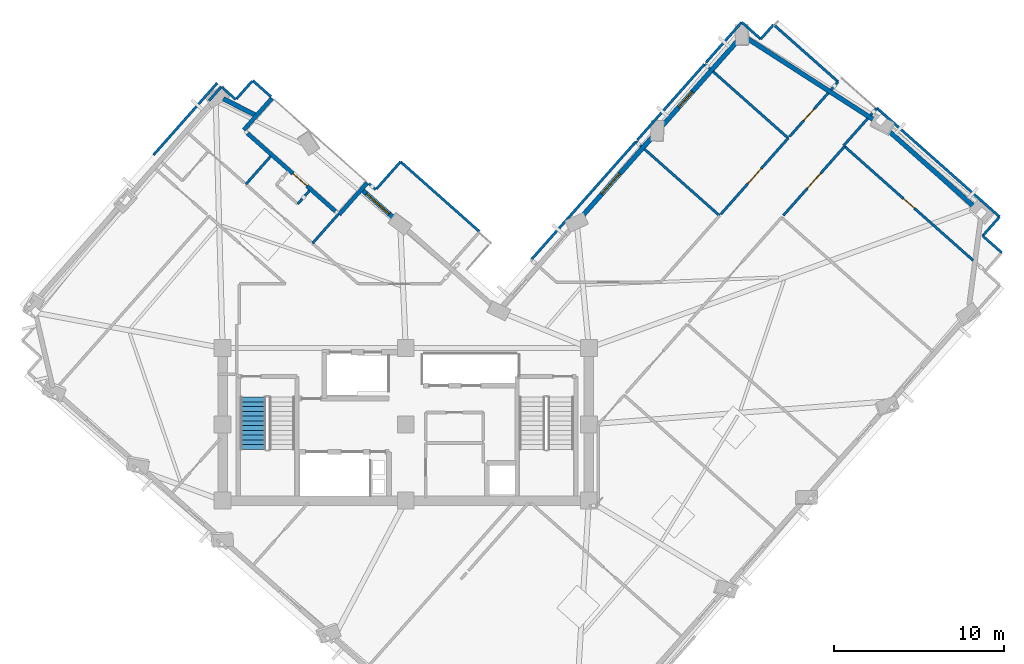
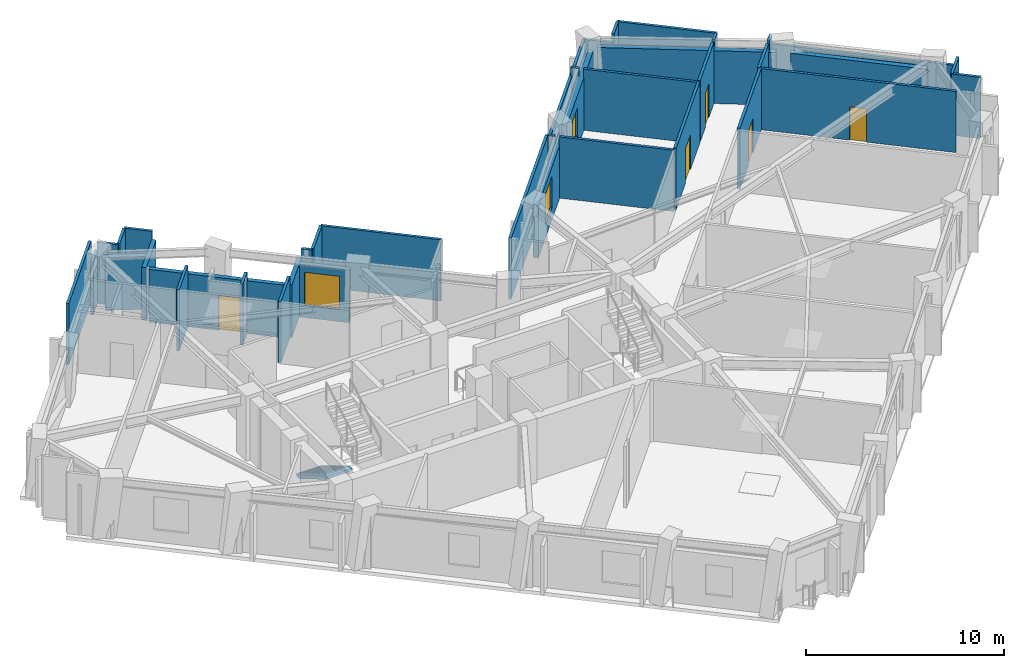
# One storey, part 8 of 13: 40 walls, 5 doors, 3 windows, 1 stair flight, 8 openings, 1 element without a shape of its own.
"""IFC4 building model written with IfcOpenShell, lengths in metres."""

import ifcopenshell
import ifcopenshell.guid

model = None  # the IFC model being written
_history = None  # IfcOwnerHistory: only IFC2X3 demands one
_inside = {}  # id of a spatial element -> (the spatial element, [elements in it])
_under = {}  # id of a project, library or spatial element -> (it, [spatial elements below it])
_declared = {}  # id of a project -> (the project, [libraries it declares])
_typed = {}  # id of a type object -> (the type object, [elements of that type])
_made_of = {}  # id of a material, layer set ... -> (it, [elements and type objects made of it])


def new_model(schema):
    """Start an empty IFC model of exactly this schema.

    Asked for "IFC4X3", IfcOpenShell would pick the latest addendum, in which some entities
    have other attributes; the version numbers below select the first issue.
    IFC2X3 requires an IfcOwnerHistory on every rooted entity: one is made here for all.
    """
    global model, _history
    if schema == "IFC4X3":
        model = ifcopenshell.file(schema_version=(4, 3, 0, 0))
    else:
        model = ifcopenshell.file(schema=schema)
    _inside.clear()
    _under.clear()
    _declared.clear()
    _typed.clear()
    _made_of.clear()
    _history = None
    if model.schema == "IFC2X3":
        org = make("IfcOrganization", Name="unknown")
        user = make(
            "IfcPersonAndOrganization",
            ThePerson=make("IfcPerson", FamilyName="unknown"),
            TheOrganization=org,
        )
        app = make(
            "IfcApplication",
            ApplicationDeveloper=org,
            Version="unknown",
            ApplicationFullName="unknown",
            ApplicationIdentifier="unknown",
        )
        _history = make(
            "IfcOwnerHistory",
            OwningUser=user,
            OwningApplication=app,
            ChangeAction="ADDED",
            CreationDate=0,
        )
    return model


def make(cls, **values):
    """One entity of the class cls with the attributes given. An attribute that is None is left unset."""
    return model.create_entity(
        cls, **{name: value for name, value in values.items() if value is not None}
    )


def rooted(cls, **values):
    """An entity with a GlobalId (a new one), such as an element, a storey or a relation."""
    return make(cls, GlobalId=ifcopenshell.guid.new(), OwnerHistory=_history, **values)


def si_unit(unit_type, name, prefix=None):
    """IfcSIUnit, for example si_unit("LENGTHUNIT", "METRE", prefix="MILLI")."""
    return make("IfcSIUnit", UnitType=unit_type, Prefix=prefix, Name=name)


def assignment(units):
    """IfcUnitAssignment: the units of a project."""
    return None if units is None else make("IfcUnitAssignment", Units=units)


def point(xyz):
    """IfcCartesianPoint."""
    return None if xyz is None else make("IfcCartesianPoint", Coordinates=xyz)


def direction(xyz):
    """IfcDirection."""
    return None if xyz is None else make("IfcDirection", DirectionRatios=xyz)


def frame(location, z_axis=None, x_axis=None):
    """IfcAxis2Placement3D, a coordinate frame: its origin and axes. An axis left out is left unset."""
    return make(
        "IfcAxis2Placement3D",
        Location=point(location),
        Axis=direction(z_axis),
        RefDirection=direction(x_axis),
    )


def frame_2d(location, x_axis=None):
    """IfcAxis2Placement2D, a coordinate frame in the plane: its origin and x axis."""
    return make(
        "IfcAxis2Placement2D", Location=point(location), RefDirection=direction(x_axis)
    )


def origin():
    """The frame at (0, 0, 0) with its axes left unset."""
    return frame((0.0, 0.0, 0.0))


def place(relative_to, where):
    """IfcLocalPlacement: puts the frame where relative to a parent placement (None: the world)."""
    return make(
        "IfcLocalPlacement", PlacementRelTo=relative_to, RelativePlacement=where
    )


def context(
    kind, dimensions, precision=None, world=None, true_north=None, identifier=None
):
    """IfcGeometricRepresentationContext, for example the 3D "Model" context."""
    return make(
        "IfcGeometricRepresentationContext",
        ContextIdentifier=identifier,
        ContextType=kind,
        CoordinateSpaceDimension=dimensions,
        Precision=precision,
        WorldCoordinateSystem=world,
        TrueNorth=true_north,
    )


def subcontext(parent, identifier, kind, view, scale=None):
    """IfcGeometricRepresentationSubContext, for example "Body" below "Model"."""
    return make(
        "IfcGeometricRepresentationSubContext",
        ContextIdentifier=identifier,
        ContextType=kind,
        ParentContext=parent,
        TargetScale=scale,
        TargetView=view,
    )


def project(units=None, contexts=None):
    """IfcProject with its units and contexts."""
    return rooted(
        "IfcProject",
        Name="project",
        RepresentationContexts=contexts,
        UnitsInContext=assignment(units),
    )


def spatial(cls, under=None, at=None, **own):
    """A site, building, storey or space (cls), placed at a placement, below another one or the project."""
    s = rooted(cls, ObjectPlacement=at, **own)
    if under is not None:
        _under.setdefault(under.id(), (under, []))[1].append(s)
    return s


def polyline(points):
    """IfcPolyline through the points."""
    return make("IfcPolyline", Points=[point(p) for p in points])


def profile(cls, at=None, kind="AREA", **sizes):
    """A parametric profile (cls). Its sizes go by their IFC names, for example OverallWidth=200.0."""
    return make(cls, ProfileType=kind, Position=at, **sizes)


def rectangle(**sizes):
    """IfcRectangleProfileDef."""
    return profile("IfcRectangleProfileDef", **sizes)


def outline(outer, holes=None, kind="AREA"):
    """IfcArbitraryClosedProfileDef: a profile drawn as a closed curve; with holes, ...WithVoids."""
    if holes is None:
        return make("IfcArbitraryClosedProfileDef", ProfileType=kind, OuterCurve=outer)
    return make(
        "IfcArbitraryProfileDefWithVoids",
        ProfileType=kind,
        OuterCurve=outer,
        InnerCurves=holes,
    )


def extrude(swept, where, along, depth):
    """IfcExtrudedAreaSolid: the profile swept, set in the frame where, extruded along a direction by depth."""
    return make(
        "IfcExtrudedAreaSolid",
        SweptArea=swept,
        Position=where,
        ExtrudedDirection=direction(along),
        Depth=depth,
    )


def shape(context_of_items, identifier, shape_type, items):
    """IfcShapeRepresentation: the items that make up one representation, for example the "Body"."""
    return make(
        "IfcShapeRepresentation",
        ContextOfItems=context_of_items,
        RepresentationIdentifier=identifier,
        RepresentationType=shape_type,
        Items=items,
    )


def material(Name=None, Category=None):
    """IfcMaterial."""
    return make("IfcMaterial", Name=Name, Category=Category)


def layer(
    of_material, thickness, ventilated=None, Name=None, Category=None, Priority=None
):
    """IfcMaterialLayer: one layer of a wall or slab, of a material (None: an air gap)."""
    return make(
        "IfcMaterialLayer",
        Material=of_material,
        LayerThickness=thickness,
        IsVentilated=ventilated,
        Name=Name,
        Category=Category,
        Priority=Priority,
    )


def layer_set(layers, Name=None):
    """IfcMaterialLayerSet."""
    return make("IfcMaterialLayerSet", MaterialLayers=layers, LayerSetName=Name)


def made_of(thing, what):
    """Note that an element or type object is made of a material, layer set ...; save() writes the relation."""
    if what is not None:
        _made_of.setdefault(what.id(), (what, []))[1].append(thing)
    return thing


def type_object(cls, material=None, **own):
    """A type object (cls), such as IfcWallType, which elements share."""
    return made_of(rooted(cls, **own), material)


def element(
    cls,
    number,
    at=None,
    inside=None,
    cuts=None,
    type_object=None,
    material=None,
    context=None,
    identifier="Body",
    shape_type=None,
    held_by="IfcProductDefinitionShape",
    body=None,
    shapes=None,
    **own,
):
    """One element of the class cls, such as IfcWall. Its Tag is "e" and its number.

    at: its placement. inside: the storey or other place that contains it. cuts: it is an
    opening in that element (IfcRelVoidsElement). A single representation is given by context,
    identifier, shape_type and body (its items); several are given by shapes. held_by: the class
    of the entity that holds the representations. save() writes the other relations.
    """
    e = rooted(cls, Tag="e%d" % number, ObjectPlacement=at, **own)
    if body is not None:
        shapes = [shape(context, identifier, shape_type, body)]
    if shapes is not None:
        e.Representation = make(held_by, Representations=shapes)
    if inside is not None:
        _inside.setdefault(inside.id(), (inside, []))[1].append(e)
    if cuts is not None:
        rooted(
            "IfcRelVoidsElement", RelatingBuildingElement=cuts, RelatedOpeningElement=e
        )
    if type_object is not None:
        _typed.setdefault(type_object.id(), (type_object, []))[1].append(e)
    return made_of(e, material)


def fill(opening, filler):
    """IfcRelFillsElement: the door or window that sits in an opening."""
    return rooted(
        "IfcRelFillsElement",
        RelatingOpeningElement=opening,
        RelatedBuildingElement=filler,
    )


def aggregate(whole, parts):
    """IfcRelAggregates: a whole, such as a stair, and the parts it consists of."""
    return rooted("IfcRelAggregates", RelatingObject=whole, RelatedObjects=parts)


def save(model, path):
    """Write the relations noted so far, then the file.

    IfcRelAggregates (storeys below a building ...), IfcRelContainedInSpatialStructure (elements
    in a storey), IfcRelDefinesByType, IfcRelAssociatesMaterial and IfcRelDeclares: one each for
    every whole, place, type object, material and project.
    """
    for whole, parts in _under.values():
        aggregate(whole, parts)
    for where, things in _inside.values():
        rooted(
            "IfcRelContainedInSpatialStructure",
            RelatedElements=things,
            RelatingStructure=where,
        )
    for kind, things in _typed.values():
        rooted("IfcRelDefinesByType", RelatedObjects=things, RelatingType=kind)
    for what, things in _made_of.values():
        rooted("IfcRelAssociatesMaterial", RelatedObjects=things, RelatingMaterial=what)
    for by, libraries in _declared.values():
        rooted("IfcRelDeclares", RelatingContext=by, RelatedDefinitions=libraries)
    model.write(path)


model = new_model("IFC4")

# Units and contexts
model_context = context("Model", 3, precision=1e-05, world=origin(), true_north=direction((0.0, 1.0)))
body_context = subcontext(model_context, "Body", "Model", "MODEL_VIEW")
ifc_project = project(units=[si_unit("LENGTHUNIT", "METRE"), si_unit("AREAUNIT", "SQUARE_METRE"), si_unit("VOLUMEUNIT", "CUBIC_METRE"), si_unit("PLANEANGLEUNIT", "RADIAN"), si_unit("MASSUNIT", "GRAM", prefix="KILO")], contexts=[model_context])

# Site, building, storey
site_placement = place(None, origin())
site = spatial("IfcSite", under=ifc_project, at=site_placement, CompositionType="ELEMENT")
building_placement = place(site_placement, origin())
building = spatial("IfcBuilding", under=site, at=building_placement, Name="Gaonmaruhae Medical Tower", CompositionType="ELEMENT")
storey_placement = place(building_placement, frame((0.0, 0.0, 231.199951171875)))
storey = spatial("IfcBuildingStorey", under=building, at=storey_placement, Name="L55", CompositionType="ELEMENT", Elevation=231.199951171875)

# Wall, opening, door
ifc_material_1 = material(Name="Precast concrete C45/55", Category="concrete")
ifc_layer_1 = layer(ifc_material_1, 0.239990234375)
ifc_layer_set_1 = layer_set([ifc_layer_1], Name="Precast concrete C45/55")
wall_type_1 = type_object("IfcWallType", Name="EW-240 Ribbon & Shelter Insulated Precast Wall", PredefinedType="SOLIDWALL", material=ifc_layer_set_1)
wall_1_placement = place(storey_placement, frame((15.45263671875, 29.472412109375, 0.0), z_axis=(0.0, 0.0, 1.0), x_axis=(0.748374243489, -0.663276708232, 0.0)))
wall_1 = element("IfcWall", 1, at=wall_1_placement, inside=storey, type_object=wall_type_1, Name="L55 Recessed Terrace Enclosure Wall TERB", PredefinedType="SOLIDWALL", context=body_context, shape_type="SweptSolid", body=[
    extrude(rectangle(XDim=6.9599609375, YDim=0.239990234375, at=frame_2d((3.47998046875, 0.0))), origin(), (0.0, 0.0, 1.0), 3.26513671875),
])
opening_1_placement = place(wall_1_placement, frame((3.59716796875, 0.0, 0.0)))
opening_1 = element("IfcOpeningElement", 2, at=opening_1_placement, cuts=wall_1, Name="Opening TD-01", PredefinedType="OPENING", context=body_context, shape_type="SweptSolid", body=[
    extrude(rectangle(XDim=1.10009765625, YDim=2.14990234375, at=frame_2d((0.550048828125, 1.074951171875))), frame((0.0, 0.1298828125, 0.0), z_axis=(0.0, -1.0, 0.0), x_axis=(1.0, 0.0, 0.0)), (0.0, 0.0, 1.0), 0.260009765625),
])
ifc_material_2 = material(Name="Anodised aluminium and toughened safety glass", Category="aluminium")
door_type_1 = type_object("IfcDoorType", Name="TD-01 Terrace & Sky Garden Glazed Door 1100x2150", OperationType="NOTDEFINED", PredefinedType="DOOR", material=ifc_material_2)
door_1_placement = place(opening_1_placement, origin())
door_1 = element("IfcDoor", 3, at=door_1_placement, inside=storey, type_object=door_type_1, Name="L55 Outdoor Terrace Access Door SLB-L55-TER", OperationType="SINGLE_SWING_LEFT", OverallHeight=2.14990234375, OverallWidth=1.10009765625, PredefinedType="DOOR", context=body_context, shape_type="SweptSolid", body=[
    extrude(rectangle(XDim=1.10009765625, YDim=2.14990234375, at=frame_2d((0.550048828125, 1.074951171875))), frame((0.0, 0.02490234375, 0.0), z_axis=(0.0, -1.0, 0.0), x_axis=(1.0, 0.0, 0.0)), (0.0, 0.0, 1.0), 0.050048828125),
])
fill(opening_1, door_1)

# Walls
wall_2_placement = place(storey_placement, frame((20.87109375, 24.670166015625, 0.0), z_axis=(0.0, 0.0, 1.0), x_axis=(0.663241629679, 0.748405331796, 0.0)))
element("IfcWall", 4, at=wall_2_placement, inside=storey, type_object=wall_type_1, Name="L55 Recessed Terrace Enclosure Wall TERL", PredefinedType="SOLIDWALL", context=body_context, shape_type="SweptSolid", body=[
    extrude(rectangle(XDim=2.499755859375, YDim=0.239990234375, at=frame_2d((1.25, 0.0))), origin(), (0.0, 0.0, 1.0), 3.26513671875),
])
wall_3_placement = place(storey_placement, frame((16.9013671875, 31.52880859375, 0.0), z_axis=(0.0, 0.0, 1.0), x_axis=(-0.663296327446, -0.748356854714, 0.0)))
element("IfcWall", 5, at=wall_3_placement, inside=storey, type_object=wall_type_1, Name="L55 Recessed Terrace Enclosure Wall TERR", PredefinedType="SOLIDWALL", context=body_context, shape_type="SweptSolid", body=[
    extrude(rectangle(XDim=2.5, YDim=0.239990234375, at=frame_2d((1.25, 0.0))), origin(), (0.0, 0.0, 1.0), 3.26513671875),
])
ifc_layer_2 = layer(ifc_material_1, 0.280029296875)
ifc_layer_set_2 = layer_set([ifc_layer_2], Name="Precast concrete C45/55")
wall_type_2 = type_object("IfcWallType", Name="EW-280 Upper Precast Masonry-Frame Facade Wall", PredefinedType="SOLIDWALL", material=ifc_layer_set_2)
wall_4_placement = place(storey_placement, frame((53.098876953125, 29.7666015625, 0.0), z_axis=(0.0, 0.0, 1.0), x_axis=(0.748389152316, -0.66325988624, 0.0)))
element("IfcWall", 6, at=wall_4_placement, inside=storey, type_object=wall_type_2, Name="L55 Precast Masonry-Frame Wall E01-E02", PredefinedType="SOLIDWALL", context=body_context, shape_type="SweptSolid", body=[
    extrude(rectangle(XDim=7.04638671875, YDim=0.280029296875, at=frame_2d((3.523193359375, 0.0))), origin(), (0.0, 0.0, 1.0), 3.26513671875),
])
wall_5_placement = place(storey_placement, frame((44.88916015625, 35.09423828125, 0.0), z_axis=(0.0, 0.0, 1.0), x_axis=(0.840951921369, -0.541109846469, 0.0)))
element("IfcWall", 7, at=wall_5_placement, inside=storey, type_object=wall_type_2, Name="L55 Precast Masonry-Frame Wall E02-E03", PredefinedType="SOLIDWALL", context=body_context, shape_type="SweptSolid", body=[
    extrude(rectangle(XDim=9.036376953125, YDim=0.280029296875, at=frame_2d((4.51806640625, 0.0))), origin(), (0.0, 0.0, 1.0), 3.26513671875),
])

# Wall, opening, window
wall_6_placement = place(storey_placement, frame((39.918701171875, 29.89404296875, 0.0), z_axis=(0.0, 0.0, 1.0), x_axis=(0.663279097032, 0.748372126311, 0.0)))
wall_6 = element("IfcWall", 8, at=wall_6_placement, inside=storey, type_object=wall_type_2, Name="L55 Precast Masonry-Frame Wall E03-EN01", PredefinedType="SOLIDWALL", context=body_context, shape_type="SweptSolid", body=[
    extrude(rectangle(XDim=6.77978515625, YDim=0.280029296875, at=frame_2d((3.389892578125, 0.0))), origin(), (0.0, 0.0, 1.0), 3.26513671875),
])
opening_2_placement = place(wall_6_placement, frame((1.494873046875, 0.0, 0.75)))
opening_2 = element("IfcOpeningElement", 9, at=opening_2_placement, cuts=wall_6, Name="Opening WN-05", PredefinedType="OPENING", context=body_context, shape_type="SweptSolid", body=[
    extrude(rectangle(XDim=1.199951171875, YDim=1.75, at=frame_2d((0.60009765625, 0.875))), frame((0.0, 0.14990234375, 0.0), z_axis=(0.0, -1.0, 0.0), x_axis=(1.0, 0.0, 0.0)), (0.0, 0.0, 1.0), 0.300048828125),
])
ifc_material_3 = material(Name="Anodised aluminium and Low-E double glazing", Category="aluminium")
window_type_1 = type_object("IfcWindowType", Name="WN-05 Support & Staff Punched Window 1200x1750", PartitioningType="SINGLE_PANEL", PredefinedType="WINDOW", material=ifc_material_3)
window_1_placement = place(opening_2_placement, origin())
window_1 = element("IfcWindow", 10, at=window_1_placement, inside=storey, type_object=window_type_1, Name="L55 Modular Facade Window E03", OverallHeight=1.75, OverallWidth=1.199951171875, PartitioningType="SINGLE_PANEL", PredefinedType="WINDOW", context=body_context, shape_type="SweptSolid", body=[
    extrude(rectangle(XDim=1.199951171875, YDim=1.75, at=frame_2d((0.60009765625, 0.875))), frame((0.0, 0.030029296875, 0.0), z_axis=(0.0, -1.0, 0.0), x_axis=(1.0, 0.0, 0.0)), (0.0, 0.0, 1.0), 0.06005859375),
])
fill(opening_2, window_1)

wall_7_placement = place(storey_placement, frame((35.146728515625, 24.509765625, 0.0), z_axis=(0.0, 0.0, 1.0), x_axis=(0.663277940137, 0.748373151661, 0.0)))
wall_7 = element("IfcWall", 11, at=wall_7_placement, inside=storey, type_object=wall_type_2, Name="L55 Precast Masonry-Frame Wall EN01-EN02", PredefinedType="SOLIDWALL", context=body_context, shape_type="SweptSolid", body=[
    extrude(rectangle(XDim=6.409423828125, YDim=0.280029296875, at=frame_2d((3.20458984375, 0.0))), origin(), (0.0, 0.0, 1.0), 3.26513671875),
])
opening_3_placement = place(wall_7_placement, frame((1.838134765625, 0.0, 0.75)))
opening_3 = element("IfcOpeningElement", 12, at=opening_3_placement, cuts=wall_7, Name="Opening WN-01", PredefinedType="OPENING", context=body_context, shape_type="SweptSolid", body=[
    extrude(rectangle(XDim=1.60009765625, YDim=1.949951171875, at=frame_2d((0.800048828125, 0.97509765625))), frame((0.0, 0.14990234375, 0.0), z_axis=(0.0, -1.0, 0.0), x_axis=(1.0, 0.0, 0.0)), (0.0, 0.0, 1.0), 0.300048828125),
])
window_type_2 = type_object("IfcWindowType", Name="WN-01 Ward Punched Acoustic Window 1600x1950", PartitioningType="SINGLE_PANEL", PredefinedType="WINDOW", material=ifc_material_3)
window_2_placement = place(opening_3_placement, origin())
window_2 = element("IfcWindow", 13, at=window_2_placement, inside=storey, type_object=window_type_2, Name="L55 Modular Facade Window EN01", OverallHeight=1.949951171875, OverallWidth=1.60009765625, PartitioningType="SINGLE_PANEL", PredefinedType="WINDOW", context=body_context, shape_type="SweptSolid", body=[
    extrude(rectangle(XDim=1.60009765625, YDim=1.949951171875, at=frame_2d((0.800048828125, 0.97509765625))), frame((0.0, 0.030029296875, 0.0), z_axis=(0.0, -1.0, 0.0), x_axis=(1.0, 0.0, 0.0)), (0.0, 0.0, 1.0), 0.06005859375),
])
fill(opening_3, window_2)

wall_8_placement = place(storey_placement, frame((22.205810546875, 26.146240234375, 0.0), z_axis=(0.0, 0.0, 1.0), x_axis=(0.74835824109, -0.663294763278, 0.0)))
wall_8 = element("IfcWall", 14, at=wall_8_placement, inside=storey, type_object=wall_type_2, Name="L55 Precast Masonry-Frame Wall NE01-NE02", PredefinedType="SOLIDWALL", context=body_context, shape_type="SweptSolid", body=[
    extrude(rectangle(XDim=2.6806640625, YDim=0.280029296875, at=frame_2d((1.34033203125, 0.0))), origin(), (0.0, 0.0, 1.0), 3.2451171875),
])
opening_4_placement = place(wall_8_placement, frame((0.364501953125, 0.0, 0.75)))
opening_4 = element("IfcOpeningElement", 15, at=opening_4_placement, cuts=wall_8, Name="Opening WN-04", PredefinedType="OPENING", context=body_context, shape_type="SweptSolid", body=[
    extrude(rectangle(XDim=1.800048828125, YDim=2.050048828125, at=frame_2d((0.89990234375, 1.02490234375))), frame((0.0, 0.14990234375, 0.0), z_axis=(0.0, -1.0, 0.0), x_axis=(1.0, 0.0, 0.0)), (0.0, 0.0, 1.0), 0.300048828125),
])
window_type_3 = type_object("IfcWindowType", Name="WN-04 Clinic & Consult Punched Window 1800x2050", PartitioningType="SINGLE_PANEL", PredefinedType="WINDOW", material=ifc_material_3)
window_3_placement = place(opening_4_placement, origin())
window_3 = element("IfcWindow", 16, at=window_3_placement, inside=storey, type_object=window_type_3, Name="L55 Modular Facade Window NE01", OverallHeight=2.050048828125, OverallWidth=1.800048828125, PartitioningType="SINGLE_PANEL", PredefinedType="WINDOW", context=body_context, shape_type="SweptSolid", body=[
    extrude(rectangle(XDim=1.800048828125, YDim=2.050048828125, at=frame_2d((0.89990234375, 1.02490234375))), frame((0.0, 0.030029296875, 0.0), z_axis=(0.0, -1.0, 0.0), x_axis=(1.0, 0.0, 0.0)), (0.0, 0.0, 1.0), 0.06005859375),
])
fill(opening_4, window_3)

# Wall
wall_9_placement = place(storey_placement, frame((14.04638671875, 31.500732421875, 0.0), z_axis=(0.0, 0.0, 1.0), x_axis=(0.88971181746, -0.456522597329, 0.0)))
element("IfcWall", 17, at=wall_9_placement, inside=storey, type_object=wall_type_2, Name="L55 Precast Masonry-Frame Wall NE02-N01", PredefinedType="SOLIDWALL", context=body_context, shape_type="SweptSolid", body=[
    extrude(rectangle(XDim=2.165771484375, YDim=0.280029296875, at=frame_2d((1.0830078125, 0.0))), origin(), (0.0, 0.0, 1.0), 3.26513671875),
])

# Wall, opening, door
ifc_material_4 = material(Name="Gypsum board partition", Category="gypsum")
ifc_layer_3 = layer(ifc_material_4, 0.14990234375)
ifc_layer_set_3 = layer_set([ifc_layer_3], Name="Gypsum board partition")
wall_type_3 = type_object("IfcWallType", Name="PW-150 Rated Clinical Corridor Partition", PredefinedType="PARTITIONING", material=ifc_layer_set_3)
wall_10_placement = place(storey_placement, frame((47.070068359375, 24.6201171875, 0.0), z_axis=(0.0, 0.0, 1.0), x_axis=(0.663187557716, 0.748453247231, 0.0)))
wall_10 = element("IfcWall", 18, at=wall_10_placement, inside=storey, type_object=wall_type_3, Name="L55 Interior Partition L55-SUP06-23", PredefinedType="PARTITIONING", context=body_context, shape_type="SweptSolid", body=[
    extrude(rectangle(XDim=5.440185546875, YDim=0.14990234375, at=frame_2d((2.72021484375, 0.0))), origin(), (0.0, 0.0, 1.0), 3.780029296875),
])
opening_5_placement = place(wall_10_placement, frame((2.1201171875, 0.0, 0.0)))
opening_5 = element("IfcOpeningElement", 19, at=opening_5_placement, cuts=wall_10, Name="Opening CD-02", PredefinedType="OPENING", context=body_context, shape_type="SweptSolid", body=[
    extrude(rectangle(XDim=1.199951171875, YDim=2.14990234375, at=frame_2d((0.60009765625, 1.074951171875))), frame((0.0, 0.0849609375, 0.0), z_axis=(0.0, -1.0, 0.0), x_axis=(1.0, 0.0, 0.0)), (0.0, 0.0, 1.0), 0.169921875),
])
ifc_material_5 = material(Name="Antimicrobial laminate timber fire door", Category="wood")
door_type_2 = type_object("IfcDoorType", Name="CD-02 Clinical Treatment & Procedure Door 1200x2150", OperationType="NOTDEFINED", PredefinedType="DOOR", material=ifc_material_5)
door_2_placement = place(opening_5_placement, origin())
door_2 = element("IfcDoor", 20, at=door_2_placement, inside=storey, type_object=door_type_2, Name="L55 Clinical Biomedical Charting Office Door", OperationType="SINGLE_SWING_LEFT", OverallHeight=2.14990234375, OverallWidth=1.199951171875, PredefinedType="DOOR", context=body_context, shape_type="SweptSolid", body=[
    extrude(rectangle(XDim=1.199951171875, YDim=2.14990234375, at=frame_2d((0.60009765625, 1.074951171875))), frame((0.0, 0.02490234375, 0.0), z_axis=(0.0, -1.0, 0.0), x_axis=(1.0, 0.0, 0.0)), (0.0, 0.0, 1.0), 0.050048828125),
])
fill(opening_5, door_2)

wall_11_placement = place(storey_placement, frame((50.677978515625, 28.69189453125, 0.0), z_axis=(0.0, 0.0, 1.0), x_axis=(0.748311065443, -0.663347985099, 0.0)))
wall_11 = element("IfcWall", 21, at=wall_11_placement, inside=storey, type_object=wall_type_3, Name="L55 Interior Partition L55-SUP06-24", PredefinedType="PARTITIONING", context=body_context, shape_type="SweptSolid", body=[
    extrude(rectangle(XDim=10.134765625, YDim=0.14990234375, at=frame_2d((5.0673828125, 0.0))), origin(), (0.0, 0.0, 1.0), 3.780029296875),
])
opening_6_placement = place(wall_11_placement, frame((4.637451171875, 0.0, 0.0)))
opening_6 = element("IfcOpeningElement", 22, at=opening_6_placement, cuts=wall_11, Name="Opening AD-01", PredefinedType="OPENING", context=body_context, shape_type="SweptSolid", body=[
    extrude(rectangle(XDim=0.860107421875, YDim=2.06005859375, at=frame_2d((0.43017578125, 1.030029296875))), frame((0.0, 0.0849609375, 0.0), z_axis=(0.0, -1.0, 0.0), x_axis=(1.0, 0.0, 0.0)), (0.0, 0.0, 1.0), 0.169921875),
])
ifc_material_6 = material(Name="Powder-coated steel access door", Category="steel")
door_type_3 = type_object("IfcDoorType", Name="AD-01 Riser & Closet Access Fire Door 860x2060", OperationType="NOTDEFINED", PredefinedType="DOOR", material=ifc_material_6)
door_3_placement = place(opening_6_placement, origin())
door_3 = element("IfcDoor", 23, at=door_3_placement, inside=storey, type_object=door_type_3, Name="L55 Clinical Records Office Sliding Door", OperationType="SLIDING_TO_LEFT", OverallHeight=2.06005859375, OverallWidth=0.860107421875, PredefinedType="DOOR", context=body_context, shape_type="SweptSolid", body=[
    extrude(rectangle(XDim=0.860107421875, YDim=2.06005859375, at=frame_2d((0.43017578125, 1.030029296875))), frame((0.0, 0.02490234375, 0.0), z_axis=(0.0, -1.0, 0.0), x_axis=(1.0, 0.0, 0.0)), (0.0, 0.0, 1.0), 0.050048828125),
])
fill(opening_6, door_3)

# Walls
wall_12_placement = place(storey_placement, frame((32.196044921875, 22.009033203125, 0.0), z_axis=(0.0, 0.0, 1.0), x_axis=(0.663258473272, 0.748390404557, 0.0)))
element("IfcWall", 24, at=wall_12_placement, inside=storey, type_object=wall_type_3, Name="L55 Interior Partition L55-IE02-48", PredefinedType="PARTITIONING", context=body_context, shape_type="SweptSolid", body=[
    extrude(rectangle(XDim=9.314697265625, YDim=0.14990234375, at=frame_2d((4.6572265625, 0.0))), origin(), (0.0, 0.0, 1.0), 3.780029296875),
])
wall_13_placement = place(storey_placement, frame((38.3740234375, 28.97998046875, 0.0), z_axis=(0.0, 0.0, 1.0), x_axis=(0.748277169325, -0.663386220739, 0.0)))
element("IfcWall", 25, at=wall_13_placement, inside=storey, type_object=wall_type_3, Name="L55 Interior Partition L55-IE02-49", PredefinedType="PARTITIONING", context=body_context, shape_type="SweptSolid", body=[
    extrude(rectangle(XDim=0.434326171875, YDim=0.14990234375, at=frame_2d((0.21728515625, 0.0))), origin(), (0.0, 0.0, 1.0), 3.780029296875),
])
wall_14_placement = place(storey_placement, frame((38.87109375, 28.5390625, 0.0), z_axis=(0.0, 0.0, 1.0), x_axis=(0.748404106831, -0.663243011933, 0.0)))
element("IfcWall", 26, at=wall_14_placement, inside=storey, type_object=wall_type_3, Name="L55 Interior Partition L55-IE02-50", PredefinedType="PARTITIONING", context=body_context, shape_type="SweptSolid", body=[
    extrude(rectangle(XDim=5.92578125, YDim=0.14990234375, at=frame_2d((2.962890625, 0.0))), origin(), (0.0, 0.0, 1.0), 3.780029296875),
])

# Wall, opening, door
wall_15_placement = place(storey_placement, frame((47.35498046875, 29.177978515625, 0.0), z_axis=(0.0, 0.0, 1.0), x_axis=(-0.663302322505, -0.748351541029, 0.0)))
wall_15 = element("IfcWall", 27, at=wall_15_placement, inside=storey, type_object=wall_type_3, Name="L55 Interior Partition L55-IE03-55", PredefinedType="PARTITIONING", context=body_context, shape_type="SweptSolid", body=[
    extrude(rectangle(XDim=5.985107421875, YDim=0.14990234375, at=frame_2d((2.99267578125, 0.0))), origin(), (0.0, 0.0, 1.0), 3.780029296875),
])
opening_7_placement = place(wall_15_placement, frame((2.392578125, 0.0, 0.0)))
opening_7 = element("IfcOpeningElement", 28, at=opening_7_placement, cuts=wall_15, Name="Opening CD-02", PredefinedType="OPENING", context=body_context, shape_type="SweptSolid", body=[
    extrude(rectangle(XDim=1.199951171875, YDim=2.14990234375, at=frame_2d((0.60009765625, 1.074951171875))), frame((0.0, 0.0849609375, 0.0), z_axis=(0.0, -1.0, 0.0), x_axis=(1.0, 0.0, 0.0)), (0.0, 0.0, 1.0), 0.169921875),
])
door_4_placement = place(opening_7_placement, origin())
door_4 = element("IfcDoor", 29, at=door_4_placement, inside=storey, type_object=door_type_2, Name="L55 Clean Medication Preparation Room Door", OperationType="SINGLE_SWING_RIGHT", OverallHeight=2.14990234375, OverallWidth=1.199951171875, PredefinedType="DOOR", context=body_context, shape_type="SweptSolid", body=[
    extrude(rectangle(XDim=1.199951171875, YDim=2.14990234375, at=frame_2d((0.60009765625, 1.074951171875))), frame((0.0, 0.02490234375, 0.0), z_axis=(0.0, -1.0, 0.0), x_axis=(1.0, 0.0, 0.0)), (0.0, 0.0, 1.0), 0.050048828125),
])
fill(opening_7, door_4)

# Walls
wall_16_placement = place(storey_placement, frame((38.4541015625, 29.070068359375, 0.0), z_axis=(0.0, 0.0, 1.0), x_axis=(0.663210930947, 0.748432536086, 0.0)))
element("IfcWall", 30, at=wall_16_placement, inside=storey, type_object=wall_type_3, Name="L55 Interior Partition L55-IE03-56", PredefinedType="PARTITIONING", context=body_context, shape_type="SweptSolid", body=[
    extrude(rectangle(XDim=5.984619140625, YDim=0.14990234375, at=frame_2d((2.9921875, 0.0))), origin(), (0.0, 0.0, 1.0), 3.26513671875),
])
wall_17_placement = place(storey_placement, frame((42.423095703125, 33.549072265625, 0.0), z_axis=(0.0, 0.0, 1.0), x_axis=(0.74815091613, -0.66352860277, 0.0)))
element("IfcWall", 31, at=wall_17_placement, inside=storey, type_object=wall_type_3, Name="L55 Interior Partition L55-IE03-57", PredefinedType="PARTITIONING", context=body_context, shape_type="SweptSolid", body=[
    extrude(rectangle(XDim=0.435546875, YDim=0.14990234375, at=frame_2d((0.2177734375, 0.0))), origin(), (0.0, 0.0, 1.0), 3.780029296875),
])
wall_18_placement = place(storey_placement, frame((42.9208984375, 33.10791015625, 0.0), z_axis=(0.0, 0.0, 1.0), x_axis=(0.748370181547, -0.663281291287, 0.0)))
element("IfcWall", 32, at=wall_18_placement, inside=storey, type_object=wall_type_3, Name="L55 Interior Partition L55-IE03-58", PredefinedType="PARTITIONING", context=body_context, shape_type="SweptSolid", body=[
    extrude(rectangle(XDim=5.925048828125, YDim=0.14990234375, at=frame_2d((2.96240234375, 0.0))), origin(), (0.0, 0.0, 1.0), 3.780029296875),
])
wall_19_placement = place(storey_placement, frame((45.735107421875, 35.02392578125, 0.0), z_axis=(0.0, 0.0, 1.0), x_axis=(0.663192997038, 0.748448427535, 0.0)))
element("IfcWall", 33, at=wall_19_placement, inside=storey, type_object=wall_type_3, Name="L55 Interior Partition L55-IE04-59", PredefinedType="PARTITIONING", context=body_context, shape_type="SweptSolid", body=[
    extrude(rectangle(XDim=1.1396484375, YDim=0.14990234375, at=frame_2d((0.56982421875, 0.0))), origin(), (0.0, 0.0, 1.0), 3.780029296875),
])
wall_20_placement = place(storey_placement, frame((46.490966796875, 35.876953125, 0.0), z_axis=(0.0, 0.0, 1.0), x_axis=(0.748371830726, -0.663279430539, 0.0)))
element("IfcWall", 34, at=wall_20_placement, inside=storey, type_object=wall_type_3, Name="L55 Interior Partition L55-IE04-60", PredefinedType="PARTITIONING", context=body_context, shape_type="SweptSolid", body=[
    extrude(rectangle(XDim=5.08984375, YDim=0.14990234375, at=frame_2d((2.544921875, 0.0))), origin(), (0.0, 0.0, 1.0), 3.780029296875),
])
wall_21_placement = place(storey_placement, frame((50.300048828125, 32.5009765625, 0.0), z_axis=(0.0, 0.0, 1.0), x_axis=(-0.662870257148, -0.748734280095, 0.0)))
element("IfcWall", 35, at=wall_21_placement, inside=storey, type_object=wall_type_3, Name="L55 Interior Partition L55-IE04-61", PredefinedType="PARTITIONING", context=body_context, shape_type="SweptSolid", body=[
    extrude(rectangle(XDim=0.6396484375, YDim=0.14990234375, at=frame_2d((0.31982421875, 0.0))), origin(), (0.0, 0.0, 1.0), 3.780029296875),
])

# Wall, opening, door
wall_22_placement = place(storey_placement, frame((49.720947265625, 31.847900390625, 0.0), z_axis=(0.0, 0.0, 1.0), x_axis=(-0.663180392012, -0.748459596539, 0.0)))
wall_22 = element("IfcWall", 36, at=wall_22_placement, inside=storey, type_object=wall_type_3, Name="L55 Interior Partition L55-IE04-62", PredefinedType="PARTITIONING", context=body_context, shape_type="SweptSolid", body=[
    extrude(rectangle(XDim=3.44677734375, YDim=0.14990234375, at=frame_2d((1.723388671875, 0.0))), origin(), (0.0, 0.0, 1.0), 3.780029296875),
])
opening_8_placement = place(wall_22_placement, frame((1.263427734375, 0.0, 0.0)))
opening_8 = element("IfcOpeningElement", 37, at=opening_8_placement, cuts=wall_22, Name="Opening UD-01", PredefinedType="OPENING", context=body_context, shape_type="SweptSolid", body=[
    extrude(rectangle(XDim=0.919921875, YDim=2.10009765625, at=frame_2d((0.4599609375, 1.050048828125))), frame((0.0, 0.0849609375, 0.0), z_axis=(0.0, -1.0, 0.0), x_axis=(1.0, 0.0, 0.0)), (0.0, 0.0, 1.0), 0.169921875),
])
ifc_material_7 = material(Name="Powder-coated steel utility door", Category="steel")
door_type_4 = type_object("IfcDoorType", Name="UD-01 Toilet, Utility & Housekeeping Door 920x2100", OperationType="NOTDEFINED", PredefinedType="DOOR", material=ifc_material_7)
door_5_placement = place(opening_8_placement, origin())
door_5 = element("IfcDoor", 38, at=door_5_placement, inside=storey, type_object=door_type_4, Name="L55 Accessible Public Toilet Door", OperationType="SINGLE_SWING_RIGHT", OverallHeight=2.10009765625, OverallWidth=0.919921875, PredefinedType="DOOR", context=body_context, shape_type="SweptSolid", body=[
    extrude(rectangle(XDim=0.919921875, YDim=2.10009765625, at=frame_2d((0.4599609375, 1.050048828125))), frame((0.0, 0.02490234375, 0.0), z_axis=(0.0, -1.0, 0.0), x_axis=(1.0, 0.0, 0.0)), (0.0, 0.0, 1.0), 0.050048828125),
])
fill(opening_8, door_5)

# Walls
wall_23_placement = place(storey_placement, frame((42.5029296875, 33.638916015625, 0.0), z_axis=(0.0, 0.0, 1.0), x_axis=(0.663214683657, 0.748429210669, 0.0)))
element("IfcWall", 39, at=wall_23_placement, inside=storey, type_object=wall_type_3, Name="L55 Interior Partition L55-IE04-63", PredefinedType="PARTITIONING", context=body_context, shape_type="SweptSolid", body=[
    extrude(rectangle(XDim=3.18017578125, YDim=0.14990234375, at=frame_2d((1.590087890625, 0.0))), origin(), (0.0, 0.0, 1.0), 3.26513671875),
])
wall_24_placement = place(storey_placement, frame((44.612060546875, 36.01904296875, 0.0), z_axis=(0.0, 0.0, 1.0), x_axis=(0.748449721944, -0.663191536227, 0.0)))
element("IfcWall", 40, at=wall_24_placement, inside=storey, type_object=wall_type_3, Name="L55 Interior Partition L55-IE04-64", PredefinedType="PARTITIONING", context=body_context, shape_type="SweptSolid", body=[
    extrude(rectangle(XDim=1.50048828125, YDim=0.14990234375, at=frame_2d((0.750244140625, 0.0))), origin(), (0.0, 0.0, 1.0), 3.26513671875),
])
wall_25_placement = place(storey_placement, frame((19.301025390625, 22.97509765625, 0.0), z_axis=(0.0, 0.0, 1.0), x_axis=(0.663175680101, 0.74846377155, 0.0)))
element("IfcWall", 41, at=wall_25_placement, inside=storey, type_object=wall_type_3, Name="L55 Interior Partition L55-IN01-70", PredefinedType="PARTITIONING", context=body_context, shape_type="SweptSolid", body=[
    extrude(rectangle(XDim=2.31005859375, YDim=0.14990234375, at=frame_2d((1.155029296875, 0.0))), origin(), (0.0, 0.0, 1.0), 3.780029296875),
])
wall_26_placement = place(storey_placement, frame((22.6201171875, 26.513916015625, 0.0), z_axis=(0.0, 0.0, 1.0), x_axis=(0.748988148045, -0.662583394063, 0.0)))
element("IfcWall", 42, at=wall_26_placement, inside=storey, type_object=wall_type_3, Name="L55 Interior Partition L55-IN01-71", PredefinedType="PARTITIONING", context=body_context, shape_type="SweptSolid", body=[
    extrude(rectangle(XDim=0.5537109375, YDim=0.14990234375, at=frame_2d((0.27685546875, 0.0))), origin(), (0.0, 0.0, 1.0), 3.780029296875),
])
wall_27_placement = place(storey_placement, frame((15.3720703125, 26.45703125, 0.0), z_axis=(0.0, 0.0, 1.0), x_axis=(0.663165819738, 0.7484725082, 0.0)))
element("IfcWall", 43, at=wall_27_placement, inside=storey, type_object=wall_type_3, Name="L55 Interior Partition L55-IN02-72", PredefinedType="PARTITIONING", context=body_context, shape_type="SweptSolid", body=[
    extrude(rectangle(XDim=2.215087890625, YDim=0.14990234375, at=frame_2d((1.107421875, 0.0))), origin(), (0.0, 0.0, 1.0), 3.780029296875),
])
wall_28_placement = place(storey_placement, frame((18.429931640625, 25.297119140625, 0.0), z_axis=(0.0, 0.0, 1.0), x_axis=(0.662738690452, 0.748850738251, 0.0)))
element("IfcWall", 44, at=wall_28_placement, inside=storey, type_object=wall_type_3, Name="L55 Interior Partition L55-IN02-75", PredefinedType="PARTITIONING", context=body_context, shape_type="SweptSolid", body=[
    extrude(rectangle(XDim=1.0546875, YDim=0.14990234375, at=frame_2d((0.52734375, 0.0))), origin(), (0.0, 0.0, 1.0), 3.780029296875),
])
wall_29_placement = place(storey_placement, frame((15.77490234375, 32.580078125, 0.0), z_axis=(0.0, 0.0, 1.0), x_axis=(0.748769053237, -0.662830977636, 0.0)))
element("IfcWall", 45, at=wall_29_placement, inside=storey, type_object=wall_type_3, Name="L55 Interior Partition L55-IN03-77", PredefinedType="PARTITIONING", context=body_context, shape_type="SweptSolid", body=[
    extrude(rectangle(XDim=1.45458984375, YDim=0.14990234375, at=frame_2d((0.727294921875, 0.0))), origin(), (0.0, 0.0, 1.0), 3.780029296875),
])
wall_30_placement = place(storey_placement, frame((13.196044921875, 31.388916015625, 0.0), z_axis=(0.0, 0.0, 1.0), x_axis=(0.663070703507, 0.74855677283, 0.0)))
element("IfcWall", 46, at=wall_30_placement, inside=storey, type_object=wall_type_3, Name="L55 Interior Partition L55-IN03-79", PredefinedType="PARTITIONING", context=body_context, shape_type="SweptSolid", body=[
    extrude(rectangle(XDim=1.102294921875, YDim=0.14990234375, at=frame_2d((0.55126953125, 0.0))), origin(), (0.0, 0.0, 1.0), 3.26513671875),
])
wall_31_placement = place(storey_placement, frame((13.964111328125, 32.180908203125, 0.0), z_axis=(0.0, 0.0, 1.0), x_axis=(0.748483361192, -0.663153570464, 0.0)))
element("IfcWall", 47, at=wall_31_placement, inside=storey, type_object=wall_type_3, Name="L55 Interior Partition L55-IN03-80", PredefinedType="PARTITIONING", context=body_context, shape_type="SweptSolid", body=[
    extrude(rectangle(XDim=1.090087890625, YDim=0.14990234375, at=frame_2d((0.544921875, 0.0))), origin(), (0.0, 0.0, 1.0), 3.780029296875),
])
wall_32_placement = place(storey_placement, frame((14.81298828125, 31.4951171875, 0.0), z_axis=(0.0, 0.0, 1.0), x_axis=(0.663378519778, 0.748283996553, 0.0)))
element("IfcWall", 48, at=wall_32_placement, inside=storey, type_object=wall_type_3, Name="L55 Interior Partition L55-IN03-81", PredefinedType="PARTITIONING", context=body_context, shape_type="SweptSolid", body=[
    extrude(rectangle(XDim=1.400390625, YDim=0.14990234375, at=frame_2d((0.7001953125, 0.0))), origin(), (0.0, 0.0, 1.0), 3.780029296875),
])
wall_33_placement = place(storey_placement, frame((9.919921875, 28.18896484375, 0.0), z_axis=(0.0, 0.0, 1.0), x_axis=(0.663125550509, 0.748508185835, 0.0)))
element("IfcWall", 49, at=wall_33_placement, inside=storey, type_object=wall_type_3, Name="L55 Interior Partition L55-RM02-86", PredefinedType="PARTITIONING", context=body_context, shape_type="SweptSolid", body=[
    extrude(rectangle(XDim=5.670166015625, YDim=0.14990234375, at=frame_2d((2.8349609375, 0.0))), origin(), (0.0, 0.0, 1.0), 3.780029296875),
])
wall_34_placement = place(storey_placement, frame((24.493896484375, 27.79296875, 0.0), z_axis=(0.0, 0.0, 1.0), x_axis=(0.748366392049, -0.663285566895, 0.0)))
element("IfcWall", 50, at=wall_34_placement, inside=storey, type_object=wall_type_3, Name="L55 Interior Partition L55-RM03-87", PredefinedType="PARTITIONING", context=body_context, shape_type="SweptSolid", body=[
    extrude(rectangle(XDim=6.229736328125, YDim=0.14990234375, at=frame_2d((3.11474609375, 0.0))), origin(), (0.0, 0.0, 1.0), 3.780029296875),
])
wall_35_placement = place(storey_placement, frame((23.0810546875, 26.198974609375, 0.0), z_axis=(0.0, 0.0, 1.0), x_axis=(0.663303137742, 0.748350818441, 0.0)))
element("IfcWall", 51, at=wall_35_placement, inside=storey, type_object=wall_type_3, Name="L55 Interior Partition L55-RM03-89", PredefinedType="PARTITIONING", context=body_context, shape_type="SweptSolid", body=[
    extrude(rectangle(XDim=2.130126953125, YDim=0.14990234375, at=frame_2d((1.06494140625, 0.0))), origin(), (0.0, 0.0, 1.0), 3.780029296875),
])
wall_36_placement = place(storey_placement, frame((58.8310546875, 23.4169921875, 0.0), z_axis=(0.0, 0.0, 1.0), x_axis=(0.748530486985, -0.663100377057, 0.0)))
element("IfcWall", 52, at=wall_36_placement, inside=storey, type_object=wall_type_3, Name="L55 Interior Partition L55-RM04-90", PredefinedType="PARTITIONING", context=body_context, shape_type="SweptSolid", body=[
    extrude(rectangle(XDim=1.500244140625, YDim=0.14990234375, at=frame_2d((0.75, 0.0))), origin(), (0.0, 0.0, 1.0), 3.780029296875),
])
wall_37_placement = place(storey_placement, frame((50.6259765625, 28.738037109375, 0.0), z_axis=(0.0, 0.0, 1.0), x_axis=(0.663327736114, 0.748329014874, 0.0)))
element("IfcWall", 53, at=wall_37_placement, inside=storey, type_object=wall_type_3, Name="L55 Interior Partition L55-RM04-92", PredefinedType="PARTITIONING", context=body_context, shape_type="SweptSolid", body=[
    extrude(rectangle(XDim=2.1513671875, YDim=0.14990234375, at=frame_2d((1.07568359375, 0.0))), origin(), (0.0, 0.0, 1.0), 3.780029296875),
])
wall_38_placement = place(storey_placement, frame((52.20703125, 30.52197265625, 0.0), z_axis=(0.0, 0.0, 1.0), x_axis=(0.663442394295, 0.748227364811, 0.0)))
element("IfcWall", 54, at=wall_38_placement, inside=storey, type_object=wall_type_3, Name="L55 Interior Partition L55-RM04-93", PredefinedType="PARTITIONING", context=body_context, shape_type="SweptSolid", body=[
    extrude(rectangle(XDim=0.575927734375, YDim=0.14990234375, at=frame_2d((0.2880859375, 0.0))), origin(), (0.0, 0.0, 1.0), 3.780029296875),
])
wall_39_placement = place(storey_placement, frame((52.589111328125, 30.952880859375, 0.0), z_axis=(0.0, 0.0, 1.0), x_axis=(0.74837940849, -0.663270880522, 0.0)))
element("IfcWall", 55, at=wall_39_placement, inside=storey, type_object=wall_type_3, Name="L55 Interior Partition L55-RM04-94", PredefinedType="PARTITIONING", context=body_context, shape_type="SweptSolid", body=[
    extrude(rectangle(XDim=9.669921875, YDim=0.14990234375, at=frame_2d((4.8349609375, 0.0))), origin(), (0.0, 0.0, 1.0), 3.26513671875),
])
wall_40_placement = place(storey_placement, frame((59.825927734375, 24.5390625, 0.0), z_axis=(0.0, 0.0, 1.0), x_axis=(-0.663423545506, -0.748244077336, 0.0)))
element("IfcWall", 56, at=wall_40_placement, inside=storey, type_object=wall_type_3, Name="L55 Interior Partition L55-RM04-95", PredefinedType="PARTITIONING", context=body_context, shape_type="SweptSolid", body=[
    extrude(rectangle(XDim=1.49951171875, YDim=0.14990234375, at=frame_2d((0.749755859375, 0.0))), origin(), (0.0, 0.0, 1.0), 3.780029296875),
])

# Stair, stair flight
ifc_material_8 = material(Name="Concrete C40/50", Category="concrete")
stair_type = type_object("IfcStairType", Name="ST-T1 Primary Core Escape Dogleg Stair", PredefinedType="TWO_QUARTER_TURN_STAIR", material=ifc_material_8)
stair_placement = place(storey_placement, origin())
stair = element("IfcStair", 57, at=stair_placement, inside=storey, type_object=stair_type, Name="L55 Protected Escape Stair ST-01", PredefinedType="TWO_QUARTER_TURN_STAIR")
stair_flight_type = type_object("IfcStairFlightType", Name="SF-T1 Primary Core Precast Stair Flight", PredefinedType="STRAIGHT", material=ifc_material_8)
stair_flight_placement = place(storey_placement, frame((15.800048828125, 13.89990234375, 0.0), z_axis=(0.0, 0.0, 1.0), x_axis=(0.0, -1.0, 0.0)))
stair_flight = element("IfcStairFlight", 58, at=stair_flight_placement, type_object=stair_flight_type, Name="ST-01 flight 1", NumberOfRisers=12, NumberOfTreads=11, PredefinedType="STRAIGHT", RiserHeight=0.166666667, TreadLength=0.28, context=body_context, shape_type="SweptSolid", body=[
    extrude(outline(polyline([(0.0, 0.0), (0.0, 0.166748046875), (0.280029296875, 0.166748046875), (0.280029296875, 0.333251953125), (0.56005859375, 0.333251953125), (0.56005859375, 0.5), (0.840087890625, 0.5), (0.840087890625, 0.666748046875), (1.1201171875, 0.666748046875), (1.1201171875, 0.833251953125), (1.39990234375, 0.833251953125), (1.39990234375, 1.0), (1.679931640625, 1.0), (1.679931640625, 1.166748046875), (1.9599609375, 1.166748046875), (1.9599609375, 1.333251953125), (2.239990234375, 1.333251953125), (2.239990234375, 1.5), (2.52001953125, 1.5), (2.52001953125, 1.666748046875), (2.800048828125, 1.666748046875), (2.800048828125, 1.833251953125), (3.080078125, 1.833251953125), (3.080078125, 2.0), (3.080078125, 1.658935546875), (0.29296875, 0.0), (0.0, 0.0)])), frame((0.0, 0.75, 0.0), z_axis=(0.0, -1.0, 0.0), x_axis=(1.0, 0.0, 0.0)), (0.0, 0.0, 1.0), 1.5),
])
aggregate(stair, [stair_flight])

save(model, "model.ifc")
